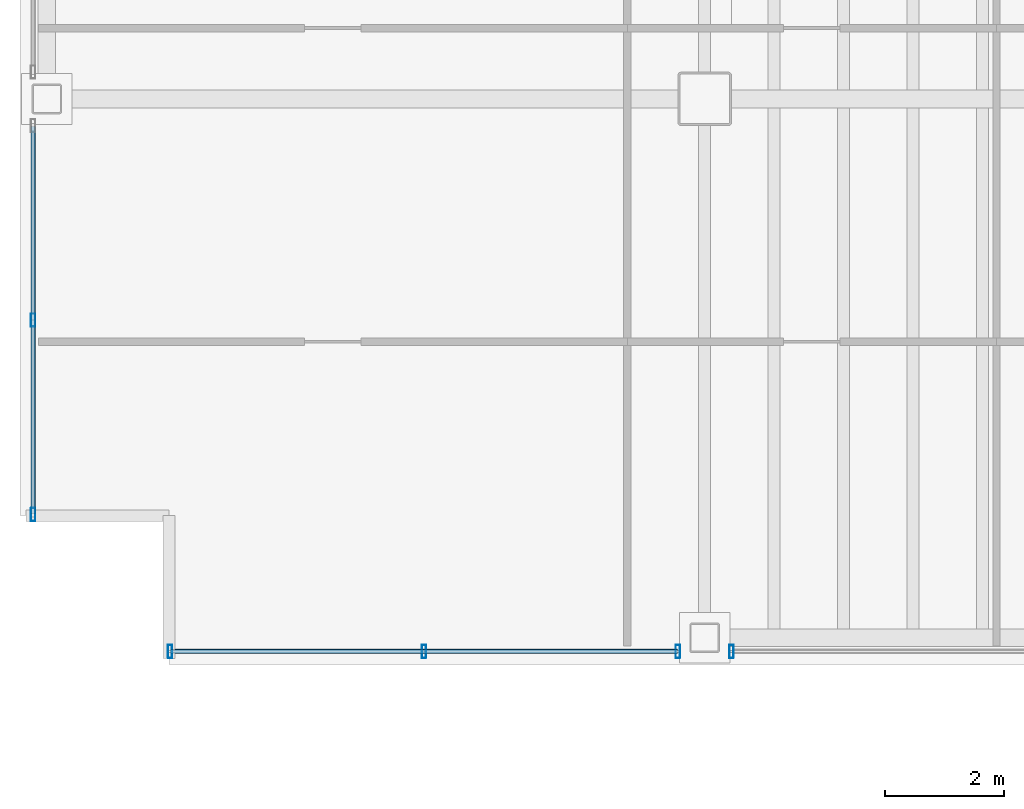
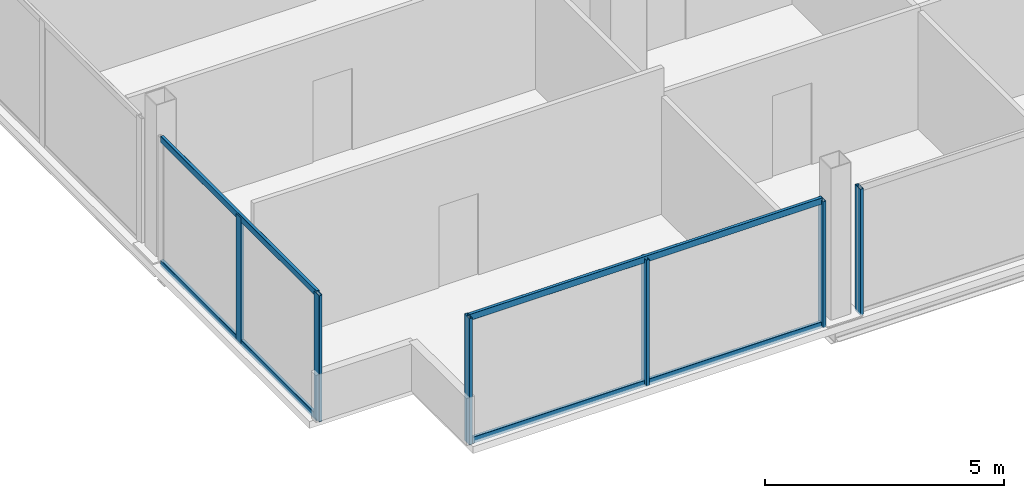
# One storey, part 2 of 22: 10 members, 3 elements without a shape of their own.
"""IFC4 building model written with IfcOpenShell, lengths in metres."""

import ifcopenshell
import ifcopenshell.guid

model = None  # the IFC model being written
_history = None  # IfcOwnerHistory: only IFC2X3 demands one
_inside = {}  # id of a spatial element -> (the spatial element, [elements in it])
_under = {}  # id of a project, library or spatial element -> (it, [spatial elements below it])
_declared = {}  # id of a project -> (the project, [libraries it declares])
_typed = {}  # id of a type object -> (the type object, [elements of that type])
_made_of = {}  # id of a material, layer set ... -> (it, [elements and type objects made of it])


def new_model(schema):
    """Start an empty IFC model of exactly this schema.

    Asked for "IFC4X3", IfcOpenShell would pick the latest addendum, in which some entities
    have other attributes; the version numbers below select the first issue.
    IFC2X3 requires an IfcOwnerHistory on every rooted entity: one is made here for all.
    """
    global model, _history
    if schema == "IFC4X3":
        model = ifcopenshell.file(schema_version=(4, 3, 0, 0))
    else:
        model = ifcopenshell.file(schema=schema)
    _inside.clear()
    _under.clear()
    _declared.clear()
    _typed.clear()
    _made_of.clear()
    _history = None
    if model.schema == "IFC2X3":
        org = make("IfcOrganization", Name="unknown")
        user = make(
            "IfcPersonAndOrganization",
            ThePerson=make("IfcPerson", FamilyName="unknown"),
            TheOrganization=org,
        )
        app = make(
            "IfcApplication",
            ApplicationDeveloper=org,
            Version="unknown",
            ApplicationFullName="unknown",
            ApplicationIdentifier="unknown",
        )
        _history = make(
            "IfcOwnerHistory",
            OwningUser=user,
            OwningApplication=app,
            ChangeAction="ADDED",
            CreationDate=0,
        )
    return model


def make(cls, **values):
    """One entity of the class cls with the attributes given. An attribute that is None is left unset."""
    return model.create_entity(
        cls, **{name: value for name, value in values.items() if value is not None}
    )


def rooted(cls, **values):
    """An entity with a GlobalId (a new one), such as an element, a storey or a relation."""
    return make(cls, GlobalId=ifcopenshell.guid.new(), OwnerHistory=_history, **values)


def si_unit(unit_type, name, prefix=None):
    """IfcSIUnit, for example si_unit("LENGTHUNIT", "METRE", prefix="MILLI")."""
    return make("IfcSIUnit", UnitType=unit_type, Prefix=prefix, Name=name)


def assignment(units):
    """IfcUnitAssignment: the units of a project."""
    return None if units is None else make("IfcUnitAssignment", Units=units)


def point(xyz):
    """IfcCartesianPoint."""
    return None if xyz is None else make("IfcCartesianPoint", Coordinates=xyz)


def direction(xyz):
    """IfcDirection."""
    return None if xyz is None else make("IfcDirection", DirectionRatios=xyz)


def frame(location, z_axis=None, x_axis=None):
    """IfcAxis2Placement3D, a coordinate frame: its origin and axes. An axis left out is left unset."""
    return make(
        "IfcAxis2Placement3D",
        Location=point(location),
        Axis=direction(z_axis),
        RefDirection=direction(x_axis),
    )


def frame_2d(location, x_axis=None):
    """IfcAxis2Placement2D, a coordinate frame in the plane: its origin and x axis."""
    return make(
        "IfcAxis2Placement2D", Location=point(location), RefDirection=direction(x_axis)
    )


def origin():
    """The frame at (0, 0, 0) with its axes left unset."""
    return frame((0.0, 0.0, 0.0))


def origin_2d():
    """The frame at (0, 0) in the plane with its x axis left unset."""
    return frame_2d((0.0, 0.0))


def place(relative_to, where):
    """IfcLocalPlacement: puts the frame where relative to a parent placement (None: the world)."""
    return make(
        "IfcLocalPlacement", PlacementRelTo=relative_to, RelativePlacement=where
    )


def context(
    kind, dimensions, precision=None, world=None, true_north=None, identifier=None
):
    """IfcGeometricRepresentationContext, for example the 3D "Model" context."""
    return make(
        "IfcGeometricRepresentationContext",
        ContextIdentifier=identifier,
        ContextType=kind,
        CoordinateSpaceDimension=dimensions,
        Precision=precision,
        WorldCoordinateSystem=world,
        TrueNorth=true_north,
    )


def subcontext(parent, identifier, kind, view, scale=None):
    """IfcGeometricRepresentationSubContext, for example "Body" below "Model"."""
    return make(
        "IfcGeometricRepresentationSubContext",
        ContextIdentifier=identifier,
        ContextType=kind,
        ParentContext=parent,
        TargetScale=scale,
        TargetView=view,
    )


def project(units=None, contexts=None):
    """IfcProject with its units and contexts."""
    return rooted(
        "IfcProject",
        Name="project",
        RepresentationContexts=contexts,
        UnitsInContext=assignment(units),
    )


def spatial(cls, under=None, at=None, **own):
    """A site, building, storey or space (cls), placed at a placement, below another one or the project."""
    s = rooted(cls, ObjectPlacement=at, **own)
    if under is not None:
        _under.setdefault(under.id(), (under, []))[1].append(s)
    return s


def profile(cls, at=None, kind="AREA", **sizes):
    """A parametric profile (cls). Its sizes go by their IFC names, for example OverallWidth=200.0."""
    return make(cls, ProfileType=kind, Position=at, **sizes)


def hollow_rectangle(**sizes):
    """IfcRectangleHollowProfileDef."""
    return profile("IfcRectangleHollowProfileDef", **sizes)


def extrude(swept, where, along, depth):
    """IfcExtrudedAreaSolid: the profile swept, set in the frame where, extruded along a direction by depth."""
    return make(
        "IfcExtrudedAreaSolid",
        SweptArea=swept,
        Position=where,
        ExtrudedDirection=direction(along),
        Depth=depth,
    )


def shape(context_of_items, identifier, shape_type, items):
    """IfcShapeRepresentation: the items that make up one representation, for example the "Body"."""
    return make(
        "IfcShapeRepresentation",
        ContextOfItems=context_of_items,
        RepresentationIdentifier=identifier,
        RepresentationType=shape_type,
        Items=items,
    )


def material(Name=None, Category=None):
    """IfcMaterial."""
    return make("IfcMaterial", Name=Name, Category=Category)


def material_profile(
    of_material, cross_section, Name=None, Category=None, Priority=None
):
    """IfcMaterialProfile: a cross section and its material."""
    return make(
        "IfcMaterialProfile",
        Name=Name,
        Material=of_material,
        Profile=cross_section,
        Priority=Priority,
        Category=Category,
    )


def profile_set(profiles, Name=None, composite=None):
    """IfcMaterialProfileSet."""
    return make(
        "IfcMaterialProfileSet",
        Name=Name,
        MaterialProfiles=profiles,
        CompositeProfile=composite,
    )


def made_of(thing, what):
    """Note that an element or type object is made of a material, layer set ...; save() writes the relation."""
    if what is not None:
        _made_of.setdefault(what.id(), (what, []))[1].append(thing)
    return thing


def type_object(cls, material=None, **own):
    """A type object (cls), such as IfcWallType, which elements share."""
    return made_of(rooted(cls, **own), material)


def element(
    cls,
    number,
    at=None,
    inside=None,
    cuts=None,
    type_object=None,
    material=None,
    context=None,
    identifier="Body",
    shape_type=None,
    held_by="IfcProductDefinitionShape",
    body=None,
    shapes=None,
    **own,
):
    """One element of the class cls, such as IfcWall. Its Tag is "e" and its number.

    at: its placement. inside: the storey or other place that contains it. cuts: it is an
    opening in that element (IfcRelVoidsElement). A single representation is given by context,
    identifier, shape_type and body (its items); several are given by shapes. held_by: the class
    of the entity that holds the representations. save() writes the other relations.
    """
    e = rooted(cls, Tag="e%d" % number, ObjectPlacement=at, **own)
    if body is not None:
        shapes = [shape(context, identifier, shape_type, body)]
    if shapes is not None:
        e.Representation = make(held_by, Representations=shapes)
    if inside is not None:
        _inside.setdefault(inside.id(), (inside, []))[1].append(e)
    if cuts is not None:
        rooted(
            "IfcRelVoidsElement", RelatingBuildingElement=cuts, RelatedOpeningElement=e
        )
    if type_object is not None:
        _typed.setdefault(type_object.id(), (type_object, []))[1].append(e)
    return made_of(e, material)


def aggregate(whole, parts):
    """IfcRelAggregates: a whole, such as a stair, and the parts it consists of."""
    return rooted("IfcRelAggregates", RelatingObject=whole, RelatedObjects=parts)


def save(model, path):
    """Write the relations noted so far, then the file.

    IfcRelAggregates (storeys below a building ...), IfcRelContainedInSpatialStructure (elements
    in a storey), IfcRelDefinesByType, IfcRelAssociatesMaterial and IfcRelDeclares: one each for
    every whole, place, type object, material and project.
    """
    for whole, parts in _under.values():
        aggregate(whole, parts)
    for where, things in _inside.values():
        rooted(
            "IfcRelContainedInSpatialStructure",
            RelatedElements=things,
            RelatingStructure=where,
        )
    for kind, things in _typed.values():
        rooted("IfcRelDefinesByType", RelatedObjects=things, RelatingType=kind)
    for what, things in _made_of.values():
        rooted("IfcRelAssociatesMaterial", RelatedObjects=things, RelatingMaterial=what)
    for by, libraries in _declared.values():
        rooted("IfcRelDeclares", RelatingContext=by, RelatedDefinitions=libraries)
    model.write(path)


model = new_model("IFC4")

# Units and contexts
model_context = context("Model", 3, precision=1e-05, world=origin(), true_north=direction((0.0, 1.0)))
body_context = subcontext(model_context, "Body", "Model", "MODEL_VIEW")
ifc_project = project(units=[si_unit("LENGTHUNIT", "METRE"), si_unit("AREAUNIT", "SQUARE_METRE"), si_unit("VOLUMEUNIT", "CUBIC_METRE"), si_unit("PLANEANGLEUNIT", "RADIAN"), si_unit("MASSUNIT", "GRAM", prefix="KILO")], contexts=[model_context])

# Site, building, storey
site_placement = place(None, origin())
site = spatial("IfcSite", under=ifc_project, at=site_placement, CompositionType="ELEMENT")
building_placement = place(site_placement, origin())
building = spatial("IfcBuilding", under=site, at=building_placement, Name="Noeulbin Bourse Tower", CompositionType="ELEMENT")
storey_placement = place(building_placement, frame((0.0, 0.0, 130.5)))
storey = spatial("IfcBuildingStorey", under=building, at=storey_placement, Name="L32", CompositionType="ELEMENT", Elevation=130.5)

# Curtain wall, members
ifc_material_1 = material(Name="Dark Tinted Triple Glazing", Category="glass")
curtain_wall_type = type_object("IfcCurtainWallType", Name="CW-SYS-3", PredefinedType="NOTDEFINED", material=ifc_material_1)
curtain_wall_1_placement = place(storey_placement, origin())
curtain_wall_1 = element("IfcCurtainWall", 1, at=curtain_wall_1_placement, inside=storey, type_object=curtain_wall_type, Name="Unitised Curtain Wall CW-L32-S1-S1", PredefinedType="NOTDEFINED")
ifc_material_2 = material(Name="Anodised Aluminium 6063-T6", Category="aluminium")
ifc_material_profile_1 = material_profile(ifc_material_2, hollow_rectangle(XDim=0.074951171875, YDim=0.219970703125, WallThickness=0.0048828125, InnerFilletRadius=0.00244140625, OuterFilletRadius=0.0048828125, at=origin_2d()), Name="ALU-MULL-75x220x5", Category="LoadBearing")
ifc_profile_set_1 = profile_set([ifc_material_profile_1], Name="Anodised Aluminium 6063-T6")
member_type_1 = type_object("IfcMemberType", Name="CW-SYS-3-MUL", PredefinedType="MULLION", material=ifc_profile_set_1)
member_1_placement = place(storey_placement, frame((4.52001953125, 10.719970703125, -0.02001953125), z_axis=(0.0, 0.0, 1.0), x_axis=(1.0, 0.0, 0.0)))
member_1 = element("IfcMember", 2, at=member_1_placement, type_object=member_type_1, Name="Curtain Wall Mullion CW-L32-S1-S1-M00", PredefinedType="MULLION", context=body_context, shape_type="SweptSolid", body=[
    extrude(hollow_rectangle(XDim=0.074951171875, YDim=0.219970703125, WallThickness=0.0048828125, InnerFilletRadius=0.00244140625, OuterFilletRadius=0.0048828125, at=origin_2d()), origin(), (0.0, 0.0, 1.0), 3.219970703125),
])
member_2_placement = place(storey_placement, frame((8.784912109375, 10.719970703125, -0.02001953125), z_axis=(0.0, 0.0, 1.0), x_axis=(1.0, 0.0, 0.0)))
member_2 = element("IfcMember", 3, at=member_2_placement, type_object=member_type_1, Name="Curtain Wall Mullion CW-L32-S1-S1-M01", PredefinedType="MULLION", context=body_context, shape_type="SweptSolid", body=[
    extrude(hollow_rectangle(XDim=0.074951171875, YDim=0.219970703125, WallThickness=0.0048828125, InnerFilletRadius=0.00244140625, OuterFilletRadius=0.0048828125, at=origin_2d()), origin(), (0.0, 0.0, 1.0), 3.219970703125),
])
member_3_placement = place(storey_placement, frame((13.050048828125, 10.719970703125, -0.02001953125), z_axis=(0.0, 0.0, 1.0), x_axis=(1.0, 0.0, 0.0)))
member_3 = element("IfcMember", 4, at=member_3_placement, type_object=member_type_1, Name="Curtain Wall Mullion CW-L32-S1-S1-M02", PredefinedType="MULLION", context=body_context, shape_type="SweptSolid", body=[
    extrude(hollow_rectangle(XDim=0.074951171875, YDim=0.219970703125, WallThickness=0.0048828125, InnerFilletRadius=0.00244140625, OuterFilletRadius=0.0048828125, at=origin_2d()), origin(), (0.0, 0.0, 1.0), 3.219970703125),
])

# Curtain wall, member
curtain_wall_2_placement = place(storey_placement, origin())
curtain_wall_2 = element("IfcCurtainWall", 5, at=curtain_wall_2_placement, inside=storey, type_object=curtain_wall_type, Name="Unitised Curtain Wall CW-L32-S1-S2", PredefinedType="NOTDEFINED")
member_4_placement = place(storey_placement, frame((13.949951171875, 10.719970703125, -0.02001953125), z_axis=(0.0, 0.0, 1.0), x_axis=(1.0, 0.0, 0.0)))
member_4 = element("IfcMember", 6, at=member_4_placement, type_object=member_type_1, Name="Curtain Wall Mullion CW-L32-S1-S2-M00", PredefinedType="MULLION", context=body_context, shape_type="SweptSolid", body=[
    extrude(hollow_rectangle(XDim=0.074951171875, YDim=0.219970703125, WallThickness=0.0048828125, InnerFilletRadius=0.00244140625, OuterFilletRadius=0.0048828125, at=origin_2d()), origin(), (0.0, 0.0, 1.0), 3.219970703125),
])
aggregate(curtain_wall_2, [member_4])

# Curtain wall, members
curtain_wall_3_placement = place(storey_placement, origin())
curtain_wall_3 = element("IfcCurtainWall", 7, at=curtain_wall_3_placement, inside=storey, type_object=curtain_wall_type, Name="Unitised Curtain Wall CW-L32-W-S1", PredefinedType="NOTDEFINED")
member_5_placement = place(storey_placement, frame((2.219970703125, 13.02001953125, -0.02001953125), z_axis=(0.0, 0.0, 1.0), x_axis=(1.0, 0.0, 0.0)))
member_5 = element("IfcMember", 8, at=member_5_placement, type_object=member_type_1, Name="Curtain Wall Mullion CW-L32-W-S1-M00", PredefinedType="MULLION", context=body_context, shape_type="SweptSolid", body=[
    extrude(hollow_rectangle(XDim=0.074951171875, YDim=0.219970703125, WallThickness=0.0048828125, InnerFilletRadius=0.00244140625, OuterFilletRadius=0.0048828125, at=origin_2d()), origin(), (0.0, 0.0, 1.0), 3.219970703125),
])
member_6_placement = place(storey_placement, frame((2.219970703125, 16.284912109375, -0.02001953125), z_axis=(0.0, 0.0, 1.0), x_axis=(1.0, 0.0, 0.0)))
member_6 = element("IfcMember", 9, at=member_6_placement, type_object=member_type_1, Name="Curtain Wall Mullion CW-L32-W-S1-M01", PredefinedType="MULLION", context=body_context, shape_type="SweptSolid", body=[
    extrude(hollow_rectangle(XDim=0.074951171875, YDim=0.219970703125, WallThickness=0.0048828125, InnerFilletRadius=0.00244140625, OuterFilletRadius=0.0048828125, at=origin_2d()), origin(), (0.0, 0.0, 1.0), 3.219970703125),
])

# Member
ifc_material_profile_2 = material_profile(ifc_material_2, hollow_rectangle(XDim=0.074951171875, YDim=0.159912109375, WallThickness=0.0048828125, InnerFilletRadius=0.00244140625, OuterFilletRadius=0.0048828125, at=origin_2d()), Name="ALU-TRAN-75x160x5", Category="LoadBearing")
ifc_profile_set_2 = profile_set([ifc_material_profile_2], Name="Anodised Aluminium 6063-T6")
member_type_2 = type_object("IfcMemberType", Name="CW-SYS-3-TRN", PredefinedType="USERDEFINED", material=ifc_profile_set_2)
member_7_placement = place(storey_placement, frame((4.530029296875, 10.719970703125, 0.010009765625), z_axis=(1.0, 0.0, 0.0), x_axis=(0.0, 1.0, 0.0)))
member_7 = element("IfcMember", 10, at=member_7_placement, type_object=member_type_2, Name="Curtain Wall Transom CW-L32-S1-S1-T00", ObjectType="TRANSOM", PredefinedType="USERDEFINED", context=body_context, shape_type="SweptSolid", body=[
    extrude(hollow_rectangle(XDim=0.074951171875, YDim=0.159912109375, WallThickness=0.0048828125, InnerFilletRadius=0.00244140625, OuterFilletRadius=0.0048828125, at=origin_2d()), origin(), (0.0, 0.0, 1.0), 8.510009765625),
])

member_8_placement = place(storey_placement, frame((4.530029296875, 10.719970703125, 3.169921875), z_axis=(1.0, 0.0, 0.0), x_axis=(0.0, 1.0, 0.0)))
member_8 = element("IfcMember", 11, at=member_8_placement, type_object=member_type_2, Name="Curtain Wall Transom CW-L32-S1-S1-T01", ObjectType="TRANSOM", PredefinedType="USERDEFINED", context=body_context, shape_type="SweptSolid", body=[
    extrude(hollow_rectangle(XDim=0.074951171875, YDim=0.159912109375, WallThickness=0.0048828125, InnerFilletRadius=0.00244140625, OuterFilletRadius=0.0048828125, at=origin_2d()), origin(), (0.0, 0.0, 1.0), 8.510009765625),
])

aggregate(curtain_wall_1, [member_1, member_2, member_3, member_7, member_8])

member_9_placement = place(storey_placement, frame((2.219970703125, 13.030029296875, 0.010009765625), z_axis=(0.0, 1.0, 0.0), x_axis=(-1.0, 0.0, 0.0)))
member_9 = element("IfcMember", 12, at=member_9_placement, type_object=member_type_2, Name="Curtain Wall Transom CW-L32-W-S1-T00", ObjectType="TRANSOM", PredefinedType="USERDEFINED", context=body_context, shape_type="SweptSolid", body=[
    extrude(hollow_rectangle(XDim=0.074951171875, YDim=0.159912109375, WallThickness=0.0048828125, InnerFilletRadius=0.00244140625, OuterFilletRadius=0.0048828125, at=origin_2d()), origin(), (0.0, 0.0, 1.0), 6.510009765625),
])

member_10_placement = place(storey_placement, frame((2.219970703125, 13.030029296875, 3.169921875), z_axis=(0.0, 1.0, 0.0), x_axis=(-1.0, 0.0, 0.0)))
member_10 = element("IfcMember", 13, at=member_10_placement, type_object=member_type_2, Name="Curtain Wall Transom CW-L32-W-S1-T01", ObjectType="TRANSOM", PredefinedType="USERDEFINED", context=body_context, shape_type="SweptSolid", body=[
    extrude(hollow_rectangle(XDim=0.074951171875, YDim=0.159912109375, WallThickness=0.0048828125, InnerFilletRadius=0.00244140625, OuterFilletRadius=0.0048828125, at=origin_2d()), origin(), (0.0, 0.0, 1.0), 6.510009765625),
])

aggregate(curtain_wall_3, [member_5, member_6, member_9, member_10])

save(model, "model.ifc")
